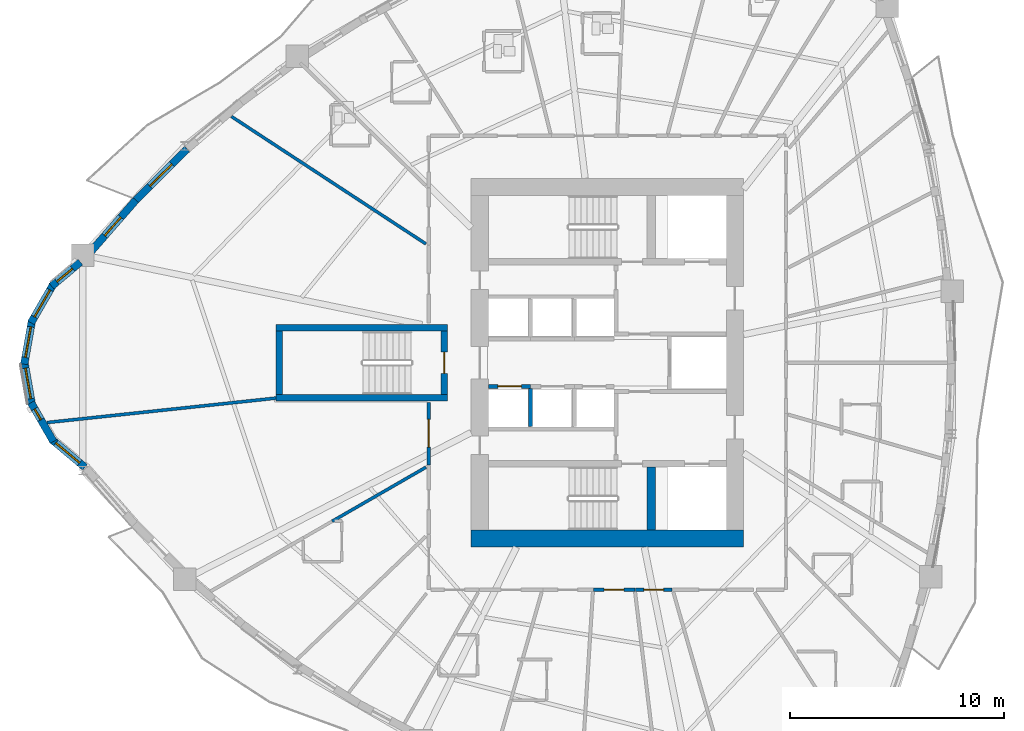
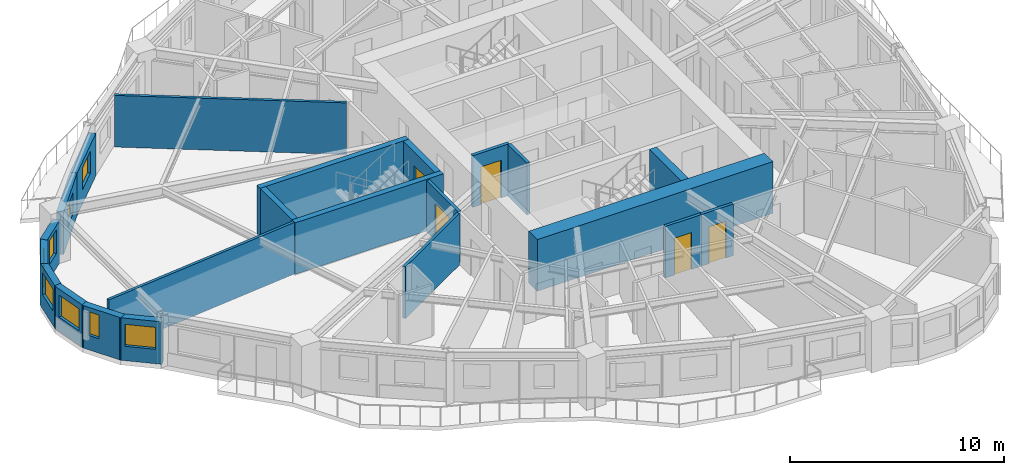
# One storey, part 4 of 14: 22 walls, 8 windows, 5 doors, 13 openings.
"""IFC4 building model written with IfcOpenShell, lengths in metres."""

from ifc_helpers import new_model, si_unit, direction, frame, frame_2d, origin, place, context, subcontext, project, spatial, rectangle, extrude, source, transform, mapped, material, layer, layer_set, type_object, element, fill, save


model = new_model("IFC4")

# Units and contexts
model_context = context("Model", 3, precision=1e-05, world=origin(), true_north=direction((0.0, 1.0)))
body_context = subcontext(model_context, "Body", "Model", "MODEL_VIEW")
ifc_project = project(units=[si_unit("LENGTHUNIT", "METRE"), si_unit("AREAUNIT", "SQUARE_METRE"), si_unit("VOLUMEUNIT", "CUBIC_METRE"), si_unit("PLANEANGLEUNIT", "RADIAN"), si_unit("MASSUNIT", "GRAM", prefix="KILO")], contexts=[model_context])

# Site, building, storey
site_placement = place(None, origin())
site = spatial("IfcSite", under=ifc_project, at=site_placement, CompositionType="ELEMENT")
building_placement = place(site_placement, origin())
building = spatial("IfcBuilding", under=site, at=building_placement, Name="Qafzar Sky-Pleat Residences", CompositionType="ELEMENT")
storey_placement = place(building_placement, frame((0.0, 0.0, 14.199951171875)))
storey = spatial("IfcBuildingStorey", under=building, at=storey_placement, Name="L03", CompositionType="ELEMENT", Elevation=14.199951171875)

# Wall, opening, door
ifc_material_1 = material(Name="Acoustic gypsum plasterboard partition", Category="gypsum")
ifc_layer_1 = layer(ifc_material_1, 0.159912109375)
ifc_layer_set_1 = layer_set([ifc_layer_1], Name="Acoustic gypsum plasterboard partition")
wall_type_1 = type_object("IfcWallType", Name="PART-COR-160", PredefinedType="PARTITIONING", material=ifc_layer_set_1)
wall_1_placement = place(storey_placement, frame((22.02001953125, 21.23291015625, 0.0), z_axis=(0.0, 0.0, 1.0), x_axis=(0.0, 1.0, 0.0)))
wall_1 = element("IfcWall", 1, at=wall_1_placement, inside=storey, type_object=wall_type_1, Name="L03 Partition Wall PART-L03-PW-008", PredefinedType="PARTITIONING", context=body_context, shape_type="SweptSolid", body=[
    extrude(rectangle(XDim=2.9169921875, YDim=0.159912109375, at=frame_2d((1.45849609375, 0.0))), origin(), (0.0, 0.0, 1.0), 2.93994140625),
])
opening_1_placement = place(wall_1_placement, frame((0.830078125, 0.0, 0.0)))
opening_1 = element("IfcOpeningElement", 2, at=opening_1_placement, cuts=wall_1, Name="Opening ID-05", PredefinedType="OPENING", context=body_context, shape_type="SweptSolid", body=[
    extrude(rectangle(XDim=1.300048828125, YDim=2.10009765625, at=frame_2d((0.64990234375, 1.050048828125))), frame((0.0, 0.08984375, 0.0), z_axis=(0.0, -1.0, 0.0), x_axis=(1.0, 0.0, 0.0)), (0.0, 0.0, 1.0), 0.179931640625),
])
ifc_material_2 = material(Name="Timber-faced fire door", Category="wood")
door_type_1 = type_object("IfcDoorType", Name="DR-LNG-1300", OperationType="DOUBLE_DOOR_SINGLE_SWING", PredefinedType="DOOR", material=ifc_material_2)
shared_shape_1 = source(origin(), body_context, "Body", "SweptSolid", [
    extrude(rectangle(XDim=1.300048828125, YDim=2.10009765625, at=frame_2d((0.64990234375, 1.050048828125))), frame((0.0, 0.02490234375, 0.0), z_axis=(0.0, -1.0, 0.0), x_axis=(1.0, 0.0, 0.0)), (0.0, 0.0, 1.0), 0.050048828125),
])
door_1_placement = place(opening_1_placement, origin())
door_1 = element("IfcDoor", 3, at=door_1_placement, inside=storey, type_object=door_type_1, Name="L03 Resident Atrium Foyer Door", OperationType="DOUBLE_DOOR_SINGLE_SWING", OverallHeight=2.10009765625, OverallWidth=1.300048828125, PredefinedType="DOOR", context=body_context, shape_type="MappedRepresentation", body=[
    mapped(shared_shape_1, transform((0.0, 0.0, 0.0), x_axis=(1.0, 0.0, 0.0), y_axis=(0.0, 1.0, 0.0), z_axis=(0.0, 0.0, 1.0), scale=1.0)),
])
fill(opening_1, door_1)

wall_2_placement = place(storey_placement, frame((31.64599609375, 15.419921875, 0.0), z_axis=(0.0, 0.0, 1.0), x_axis=(-1.0, 0.0, 0.0)))
wall_2 = element("IfcWall", 4, at=wall_2_placement, inside=storey, type_object=wall_type_1, Name="L03 Partition Wall PART-L03-PW-023", PredefinedType="PARTITIONING", context=body_context, shape_type="SweptSolid", body=[
    extrude(rectangle(XDim=1.931884765625, YDim=0.159912109375, at=frame_2d((0.9658203125, 0.0))), origin(), (0.0, 0.0, 1.0), 2.93994140625),
])
opening_2_placement = place(wall_2_placement, frame((0.528564453125, 0.0, 0.0)))
opening_2 = element("IfcOpeningElement", 5, at=opening_2_placement, cuts=wall_2, Name="Opening ID-04", PredefinedType="OPENING", context=body_context, shape_type="SweptSolid", body=[
    extrude(rectangle(XDim=0.919921875, YDim=2.10009765625, at=frame_2d((0.4599609375, 1.050048828125))), frame((0.0, 0.08984375, 0.0), z_axis=(0.0, -1.0, 0.0), x_axis=(1.0, 0.0, 0.0)), (0.0, 0.0, 1.0), 0.179931640625),
])
door_type_2 = type_object("IfcDoorType", Name="DR-BED-920", OperationType="NOTDEFINED", PredefinedType="DOOR", material=ifc_material_2)
shared_shape_2 = source(origin(), body_context, "Body", "SweptSolid", [
    extrude(rectangle(XDim=0.919921875, YDim=2.10009765625, at=frame_2d((0.4599609375, 1.050048828125))), frame((0.0, 0.02490234375, 0.0), z_axis=(0.0, -1.0, 0.0), x_axis=(1.0, 0.0, 0.0)), (0.0, 0.0, 1.0), 0.050048828125),
])
door_2_placement = place(opening_2_placement, origin())
door_2 = element("IfcDoor", 6, at=door_2_placement, inside=storey, type_object=door_type_2, Name="L03 Co-Living Bedroom 15 Door", OperationType="SINGLE_SWING_LEFT", OverallHeight=2.10009765625, OverallWidth=0.919921875, PredefinedType="DOOR", context=body_context, shape_type="MappedRepresentation", body=[
    mapped(shared_shape_2, transform((0.0, 0.0, 0.0), x_axis=(1.0, 0.0, 0.0), y_axis=(0.0, 1.0, 0.0), z_axis=(0.0, 0.0, 1.0), scale=1.0)),
])
fill(opening_2, door_2)

wall_3_placement = place(storey_placement, frame((33.364990234375, 15.419921875, 0.0), z_axis=(0.0, 0.0, 1.0), x_axis=(-1.0, 0.0, 0.0)))
wall_3 = element("IfcWall", 7, at=wall_3_placement, inside=storey, type_object=wall_type_1, Name="L03 Partition Wall PART-L03-PW-037", PredefinedType="PARTITIONING", context=body_context, shape_type="SweptSolid", body=[
    extrude(rectangle(XDim=1.7041015625, YDim=0.159912109375, at=frame_2d((0.85205078125, 0.0))), origin(), (0.0, 0.0, 1.0), 2.93994140625),
])
opening_3_placement = place(wall_3_placement, frame((0.39208984375, 0.0, 0.0)))
opening_3 = element("IfcOpeningElement", 8, at=opening_3_placement, cuts=wall_3, Name="Opening ID-04", PredefinedType="OPENING", context=body_context, shape_type="SweptSolid", body=[
    extrude(rectangle(XDim=0.919921875, YDim=2.10009765625, at=frame_2d((0.4599609375, 1.050048828125))), frame((0.0, 0.08984375, 0.0), z_axis=(0.0, -1.0, 0.0), x_axis=(1.0, 0.0, 0.0)), (0.0, 0.0, 1.0), 0.179931640625),
])
door_3_placement = place(opening_3_placement, origin())
door_3 = element("IfcDoor", 9, at=door_3_placement, inside=storey, type_object=door_type_2, Name="L03 Co-Living Bedroom 16 Door", OperationType="SINGLE_SWING_LEFT", OverallHeight=2.10009765625, OverallWidth=0.919921875, PredefinedType="DOOR", context=body_context, shape_type="MappedRepresentation", body=[
    mapped(shared_shape_2, transform((0.0, 0.0, 0.0), x_axis=(1.0, 0.0, 0.0), y_axis=(0.0, 1.0, 0.0), z_axis=(0.0, 0.0, 1.0), scale=1.0)),
])
fill(opening_3, door_3)

ifc_material_3 = material(Name="Concrete blockwork partition", Category="masonry")
ifc_layer_2 = layer(ifc_material_3, 0.179931640625)
ifc_layer_set_2 = layer_set([ifc_layer_2], Name="Concrete blockwork partition")
wall_type_2 = type_object("IfcWallType", Name="PART-SHAFT-180", PredefinedType="PARTITIONING", material=ifc_layer_set_2)
wall_4_placement = place(storey_placement, frame((24.81005859375, 24.89990234375, 0.0), z_axis=(0.0, 0.0, 1.0), x_axis=(1.0, 0.0, 0.0)))
wall_4 = element("IfcWall", 10, at=wall_4_placement, inside=storey, type_object=wall_type_2, Name="L03 Partition Wall PART-L03-P1-N", PredefinedType="PARTITIONING", context=body_context, shape_type="SweptSolid", body=[
    extrude(rectangle(XDim=1.96484375, YDim=0.179931640625, at=frame_2d((0.982421875, 0.0))), origin(), (0.0, 0.0, 1.0), 2.93994140625),
])
opening_4_placement = place(wall_4_placement, frame((0.4326171875, 0.0, 0.0)))
opening_4 = element("IfcOpeningElement", 11, at=opening_4_placement, cuts=wall_4, Name="Opening LD-01", PredefinedType="OPENING", context=body_context, shape_type="SweptSolid", body=[
    extrude(rectangle(XDim=1.10009765625, YDim=2.14990234375, at=frame_2d((0.550048828125, 1.074951171875))), frame((0.0, 0.10009765625, 0.0), z_axis=(0.0, -1.0, 0.0), x_axis=(1.0, 0.0, 0.0)), (0.0, 0.0, 1.0), 0.199951171875),
])
ifc_material_4 = material(Name="Stainless steel sliding landing door", Category="steel")
door_type_3 = type_object("IfcDoorType", Name="DR-LIFT-P", OperationType="DOUBLE_DOOR_SLIDING", PredefinedType="DOOR", material=ifc_material_4)
shared_shape_3 = source(origin(), body_context, "Body", "SweptSolid", [
    extrude(rectangle(XDim=1.10009765625, YDim=2.14990234375, at=frame_2d((0.550048828125, 1.074951171875))), frame((0.0, 0.02490234375, 0.0), z_axis=(0.0, -1.0, 0.0), x_axis=(1.0, 0.0, 0.0)), (0.0, 0.0, 1.0), 0.050048828125),
])
door_4_placement = place(opening_4_placement, origin())
door_4 = element("IfcDoor", 12, at=door_4_placement, inside=storey, type_object=door_type_3, Name="L03 Passenger Lift P1 Landing Door", OperationType="DOUBLE_DOOR_SLIDING", OverallHeight=2.14990234375, OverallWidth=1.10009765625, PredefinedType="DOOR", context=body_context, shape_type="MappedRepresentation", body=[
    mapped(shared_shape_3, transform((0.0, 0.0, 0.0), x_axis=(1.0, 0.0, 0.0), y_axis=(0.0, 1.0, 0.0), z_axis=(0.0, 0.0, 1.0), scale=1.0)),
])
fill(opening_4, door_4)

# Walls
wall_5_placement = place(storey_placement, frame((26.77490234375, 23.02001953125, 0.0), z_axis=(0.0, 0.0, 1.0), x_axis=(0.0, 1.0, 0.0)))
element("IfcWall", 13, at=wall_5_placement, inside=storey, type_object=wall_type_2, Name="L03 Partition Wall PART-L03-P13-DIV-1", PredefinedType="PARTITIONING", context=body_context, shape_type="SweptSolid", body=[
    extrude(rectangle(XDim=1.780029296875, YDim=0.179931640625, at=frame_2d((0.89013671875, 0.0))), origin(), (0.0, 0.0, 1.0), 2.93994140625),
])
ifc_layer_3 = layer(ifc_material_1, 0.14501953125)
ifc_layer_set_3 = layer_set([ifc_layer_3], Name="Acoustic gypsum plasterboard partition")
wall_type_3 = type_object("IfcWallType", Name="PART-UNIT-145", PredefinedType="PARTITIONING", material=ifc_layer_set_3)
wall_6_placement = place(storey_placement, frame((12.82861328125, 37.4794921875, 0.0), z_axis=(0.0, 0.0, 1.0), x_axis=(0.836435846472, -0.548064845376, 0.0)))
element("IfcWall", 14, at=wall_6_placement, inside=storey, type_object=wall_type_3, Name="L03 Partition Wall PART-L03-PW-041", PredefinedType="PARTITIONING", context=body_context, shape_type="SweptSolid", body=[
    extrude(rectangle(XDim=10.837646484375, YDim=0.14501953125, at=frame_2d((5.4189453125, 0.0))), origin(), (0.0, 0.0, 1.0), 2.93994140625),
])
wall_7_placement = place(storey_placement, frame((4.230712890625, 23.21240234375, 0.0), z_axis=(0.0, 0.0, 1.0), x_axis=(0.994353055544, 0.106122575023, 0.0)))
element("IfcWall", 15, at=wall_7_placement, inside=storey, type_object=wall_type_3, Name="L03 Partition Wall PART-L03-PW-042", PredefinedType="PARTITIONING", context=body_context, shape_type="SweptSolid", body=[
    extrude(rectangle(XDim=10.729736328125, YDim=0.14501953125, at=frame_2d((5.36474609375, 0.0))), origin(), (0.0, 0.0, 1.0), 2.93994140625),
])
wall_8_placement = place(storey_placement, frame((17.52392578125, 18.610107421875, 0.0), z_axis=(0.0, 0.0, 1.0), x_axis=(0.866454437228, 0.499256154903, 0.0)))
element("IfcWall", 16, at=wall_8_placement, inside=storey, type_object=wall_type_3, Name="L03 Partition Wall PART-L03-PW-056", PredefinedType="PARTITIONING", context=body_context, shape_type="SweptSolid", body=[
    extrude(rectangle(XDim=5.047119140625, YDim=0.14501953125, at=frame_2d((2.5234375, 0.0))), origin(), (0.0, 0.0, 1.0), 2.93994140625),
])

# Wall, opening, window
ifc_material_5 = material(Name="Precast concrete C40/50 with honed Riyadh limestone", Category="concrete")
ifc_layer_4 = layer(ifc_material_5, 0.35009765625)
ifc_layer_set_4 = layer_set([ifc_layer_4], Name="Precast concrete C40/50 with honed Riyadh limestone")
wall_type_4 = type_object("IfcWallType", Name="WALL-EXT-350", PredefinedType="SOLIDWALL", material=ifc_layer_set_4)
wall_9_placement = place(storey_placement, frame((5.78271484375, 30.696044921875, 0.0), z_axis=(0.0, 0.0, 1.0), x_axis=(-0.766058770736, -0.642770534311, 0.0)))
wall_9 = element("IfcWall", 17, at=wall_9_placement, inside=storey, type_object=wall_type_4, Name="L03 Limestone Facade Wall 1", PredefinedType="SOLIDWALL", context=body_context, shape_type="SweptSolid", body=[
    extrude(rectangle(XDim=1.75244140625, YDim=0.35009765625, at=frame_2d((0.876220703125, 0.0))), origin(), (0.0, 0.0, 1.0), 2.420166015625),
])
opening_5_placement = place(wall_9_placement, frame((0.476318359375, 0.0, 0.820068359375)))
opening_5 = element("IfcOpeningElement", 18, at=opening_5_placement, cuts=wall_9, Name="Opening WN-12", PredefinedType="OPENING", context=body_context, shape_type="SweptSolid", body=[
    extrude(rectangle(XDim=0.949951171875, YDim=1.35009765625, at=frame_2d((0.47509765625, 0.675048828125))), frame((0.0, 0.18505859375, 0.0), z_axis=(0.0, -1.0, 0.0), x_axis=(1.0, 0.0, 0.0)), (0.0, 0.0, 1.0), 0.3701171875),
])
ifc_material_6 = material(Name="Solar-control low-E glass in bronze aluminium frame", Category="glass")
window_type_1 = type_object("IfcWindowType", Name="WIN-12", PartitioningType="SINGLE_PANEL", PredefinedType="WINDOW", material=ifc_material_6)
shared_shape_4 = source(origin(), body_context, "Body", "SweptSolid", [
    extrude(rectangle(XDim=0.949951171875, YDim=1.35009765625, at=frame_2d((0.47509765625, 0.675048828125))), frame((0.0, 0.030029296875, 0.0), z_axis=(0.0, -1.0, 0.0), x_axis=(1.0, 0.0, 0.0)), (0.0, 0.0, 1.0), 0.06005859375),
])
window_1_placement = place(opening_5_placement, origin())
window_1 = element("IfcWindow", 19, at=window_1_placement, inside=storey, type_object=window_type_1, Name="L03 Punched Facade Window 01", OverallHeight=1.35009765625, OverallWidth=0.949951171875, PartitioningType="SINGLE_PANEL", PredefinedType="WINDOW", context=body_context, shape_type="MappedRepresentation", body=[
    mapped(shared_shape_4, transform((0.0, 0.0, 0.0), x_axis=(1.0, 0.0, 0.0), y_axis=(0.0, 1.0, 0.0), z_axis=(0.0, 0.0, 1.0), scale=1.0)),
])
fill(opening_5, window_1)

wall_10_placement = place(storey_placement, frame((4.527587890625, 29.673583984375, 0.0), z_axis=(0.0, 0.0, 1.0), x_axis=(-0.499995423472, -0.866028046028, 0.0)))
wall_10 = element("IfcWall", 20, at=wall_10_placement, inside=storey, type_object=wall_type_4, Name="L03 Limestone Facade Wall 2", PredefinedType="SOLIDWALL", context=body_context, shape_type="SweptSolid", body=[
    extrude(rectangle(XDim=2.09033203125, YDim=0.35009765625, at=frame_2d((1.045166015625, 0.0))), origin(), (0.0, 0.0, 1.0), 2.420166015625),
])
opening_6_placement = place(wall_10_placement, frame((0.3203125, 0.0, 0.820068359375)))
opening_6 = element("IfcOpeningElement", 21, at=opening_6_placement, cuts=wall_10, Name="Opening WN-15", PredefinedType="OPENING", context=body_context, shape_type="SweptSolid", body=[
    extrude(rectangle(XDim=1.449951171875, YDim=1.25, at=frame_2d((0.72509765625, 0.625))), frame((0.0, 0.18505859375, 0.0), z_axis=(0.0, -1.0, 0.0), x_axis=(1.0, 0.0, 0.0)), (0.0, 0.0, 1.0), 0.3701171875),
])
window_type_2 = type_object("IfcWindowType", Name="WIN-15", PartitioningType="SINGLE_PANEL", PredefinedType="WINDOW", material=ifc_material_6)
shared_shape_5 = source(origin(), body_context, "Body", "SweptSolid", [
    extrude(rectangle(XDim=1.449951171875, YDim=1.25, at=frame_2d((0.72509765625, 0.625))), frame((0.0, 0.030029296875, 0.0), z_axis=(0.0, -1.0, 0.0), x_axis=(1.0, 0.0, 0.0)), (0.0, 0.0, 1.0), 0.06005859375),
])
window_2_placement = place(opening_6_placement, origin())
window_2 = element("IfcWindow", 22, at=window_2_placement, inside=storey, type_object=window_type_2, Name="L03 Punched Facade Window 02", OverallHeight=1.25, OverallWidth=1.449951171875, PartitioningType="SINGLE_PANEL", PredefinedType="WINDOW", context=body_context, shape_type="MappedRepresentation", body=[
    mapped(shared_shape_5, transform((0.0, 0.0, 0.0), x_axis=(1.0, 0.0, 0.0), y_axis=(0.0, 1.0, 0.0), z_axis=(0.0, 0.0, 1.0), scale=1.0)),
])
fill(opening_6, window_2)

wall_11_placement = place(storey_placement, frame((3.52880859375, 27.99072265625, 0.0), z_axis=(0.0, 0.0, 1.0), x_axis=(-0.173672066494, -0.984803540469, 0.0)))
wall_11 = element("IfcWall", 23, at=wall_11_placement, inside=storey, type_object=wall_type_4, Name="L03 Limestone Facade Wall 3", PredefinedType="SOLIDWALL", context=body_context, shape_type="SweptSolid", body=[
    extrude(rectangle(XDim=2.09033203125, YDim=0.35009765625, at=frame_2d((1.045166015625, 0.0))), origin(), (0.0, 0.0, 1.0), 2.420166015625),
])
opening_7_placement = place(wall_11_placement, frame((0.3203125, 0.0, 0.820068359375)))
opening_7 = element("IfcOpeningElement", 24, at=opening_7_placement, cuts=wall_11, Name="Opening WN-15", PredefinedType="OPENING", context=body_context, shape_type="SweptSolid", body=[
    extrude(rectangle(XDim=1.449951171875, YDim=1.25, at=frame_2d((0.72509765625, 0.625))), frame((0.0, 0.18505859375, 0.0), z_axis=(0.0, -1.0, 0.0), x_axis=(1.0, 0.0, 0.0)), (0.0, 0.0, 1.0), 0.3701171875),
])
window_3_placement = place(opening_7_placement, origin())
window_3 = element("IfcWindow", 25, at=window_3_placement, inside=storey, type_object=window_type_2, Name="L03 Punched Facade Window 03", OverallHeight=1.25, OverallWidth=1.449951171875, PartitioningType="SINGLE_PANEL", PredefinedType="WINDOW", context=body_context, shape_type="MappedRepresentation", body=[
    mapped(shared_shape_5, transform((0.0, 0.0, 0.0), x_axis=(1.0, 0.0, 0.0), y_axis=(0.0, 1.0, 0.0), z_axis=(0.0, 0.0, 1.0), scale=1.0)),
])
fill(opening_7, window_3)

wall_12_placement = place(storey_placement, frame((3.165771484375, 26.06787109375, 0.0), z_axis=(0.0, 0.0, 1.0), x_axis=(0.173672066494, -0.984803540469, 0.0)))
wall_12 = element("IfcWall", 26, at=wall_12_placement, inside=storey, type_object=wall_type_4, Name="L03 Limestone Facade Wall 4", PredefinedType="SOLIDWALL", context=body_context, shape_type="SweptSolid", body=[
    extrude(rectangle(XDim=2.09033203125, YDim=0.35009765625, at=frame_2d((1.045166015625, 0.0))), origin(), (0.0, 0.0, 1.0), 2.420166015625),
])
opening_8_placement = place(wall_12_placement, frame((0.3203125, 0.0, 0.820068359375)))
opening_8 = element("IfcOpeningElement", 27, at=opening_8_placement, cuts=wall_12, Name="Opening WN-15", PredefinedType="OPENING", context=body_context, shape_type="SweptSolid", body=[
    extrude(rectangle(XDim=1.449951171875, YDim=1.25, at=frame_2d((0.72509765625, 0.625))), frame((0.0, 0.18505859375, 0.0), z_axis=(0.0, -1.0, 0.0), x_axis=(1.0, 0.0, 0.0)), (0.0, 0.0, 1.0), 0.3701171875),
])
window_4_placement = place(opening_8_placement, origin())
window_4 = element("IfcWindow", 28, at=window_4_placement, inside=storey, type_object=window_type_2, Name="L03 Punched Facade Window 04", OverallHeight=1.25, OverallWidth=1.449951171875, PartitioningType="SINGLE_PANEL", PredefinedType="WINDOW", context=body_context, shape_type="MappedRepresentation", body=[
    mapped(shared_shape_5, transform((0.0, 0.0, 0.0), x_axis=(1.0, 0.0, 0.0), y_axis=(0.0, 1.0, 0.0), z_axis=(0.0, 0.0, 1.0), scale=1.0)),
])
fill(opening_8, window_4)

wall_13_placement = place(storey_placement, frame((3.482421875, 24.13671875, 0.0), z_axis=(0.0, 0.0, 1.0), x_axis=(0.499995423472, -0.866028046028, 0.0)))
wall_13 = element("IfcWall", 29, at=wall_13_placement, inside=storey, type_object=wall_type_4, Name="L03 Limestone Facade Wall 5", PredefinedType="SOLIDWALL", context=body_context, shape_type="SweptSolid", body=[
    extrude(rectangle(XDim=2.09033203125, YDim=0.35009765625, at=frame_2d((1.045166015625, 0.0))), origin(), (0.0, 0.0, 1.0), 2.420166015625),
])
opening_9_placement = place(wall_13_placement, frame((0.332763671875, 0.0, 0.820068359375)))
opening_9 = element("IfcOpeningElement", 30, at=opening_9_placement, cuts=wall_13, Name="Opening WN-17", PredefinedType="OPENING", context=body_context, shape_type="SweptSolid", body=[
    extrude(rectangle(XDim=0.580078125, YDim=1.35009765625, at=frame_2d((0.2900390625, 0.675048828125))), frame((0.0, 0.18505859375, 0.0), z_axis=(0.0, -1.0, 0.0), x_axis=(1.0, 0.0, 0.0)), (0.0, 0.0, 1.0), 0.3701171875),
])
window_type_3 = type_object("IfcWindowType", Name="WIN-17", PartitioningType="SINGLE_PANEL", PredefinedType="WINDOW", material=ifc_material_6)
shared_shape_6 = source(origin(), body_context, "Body", "SweptSolid", [
    extrude(rectangle(XDim=0.580078125, YDim=1.35009765625, at=frame_2d((0.2900390625, 0.675048828125))), frame((0.0, 0.030029296875, 0.0), z_axis=(0.0, -1.0, 0.0), x_axis=(1.0, 0.0, 0.0)), (0.0, 0.0, 1.0), 0.06005859375),
])
window_5_placement = place(opening_9_placement, origin())
window_5 = element("IfcWindow", 31, at=window_5_placement, inside=storey, type_object=window_type_3, Name="L03 Punched Facade Window 05", OverallHeight=1.35009765625, OverallWidth=0.580078125, PartitioningType="SINGLE_PANEL", PredefinedType="WINDOW", context=body_context, shape_type="MappedRepresentation", body=[
    mapped(shared_shape_6, transform((0.0, 0.0, 0.0), x_axis=(1.0, 0.0, 0.0), y_axis=(0.0, 1.0, 0.0), z_axis=(0.0, 0.0, 1.0), scale=1.0)),
])
fill(opening_9, window_5)

wall_14_placement = place(storey_placement, frame((4.440185546875, 22.430419921875, 0.0), z_axis=(0.0, 0.0, 1.0), x_axis=(0.766090423188, -0.642732808793, 0.0)))
wall_14 = element("IfcWall", 32, at=wall_14_placement, inside=storey, type_object=wall_type_4, Name="L03 Limestone Facade Wall 6", PredefinedType="SOLIDWALL", context=body_context, shape_type="SweptSolid", body=[
    extrude(rectangle(XDim=2.032470703125, YDim=0.35009765625, at=frame_2d((1.01611328125, 0.0))), origin(), (0.0, 0.0, 1.0), 2.420166015625),
])
opening_10_placement = place(wall_14_placement, frame((0.26123046875, 0.0, 0.820068359375)))
opening_10 = element("IfcOpeningElement", 33, at=opening_10_placement, cuts=wall_14, Name="Opening WN-15", PredefinedType="OPENING", context=body_context, shape_type="SweptSolid", body=[
    extrude(rectangle(XDim=1.449951171875, YDim=1.25, at=frame_2d((0.72509765625, 0.625))), frame((0.0, 0.18505859375, 0.0), z_axis=(0.0, -1.0, 0.0), x_axis=(1.0, 0.0, 0.0)), (0.0, 0.0, 1.0), 0.3701171875),
])
window_6_placement = place(opening_10_placement, origin())
window_6 = element("IfcWindow", 34, at=window_6_placement, inside=storey, type_object=window_type_2, Name="L03 Punched Facade Window 06", OverallHeight=1.25, OverallWidth=1.449951171875, PartitioningType="SINGLE_PANEL", PredefinedType="WINDOW", context=body_context, shape_type="MappedRepresentation", body=[
    mapped(shared_shape_5, transform((0.0, 0.0, 0.0), x_axis=(1.0, 0.0, 0.0), y_axis=(0.0, 1.0, 0.0), z_axis=(0.0, 0.0, 1.0), scale=1.0)),
])
fill(opening_10, window_6)

wall_15_placement = place(storey_placement, frame((10.75830078125, 35.96142578125, 0.0), z_axis=(0.0, 0.0, 1.0), x_axis=(-0.708411305333, -0.705799845903, 0.0)))
wall_15 = element("IfcWall", 35, at=wall_15_placement, inside=storey, type_object=wall_type_4, Name="L03 Limestone Facade Wall 47", PredefinedType="SOLIDWALL", context=body_context, shape_type="SweptSolid", body=[
    extrude(rectangle(XDim=3.458984375, YDim=0.35009765625, at=frame_2d((1.7294921875, 0.0))), origin(), (0.0, 0.0, 1.0), 2.420166015625),
])
opening_11_placement = place(wall_15_placement, frame((0.99462890625, 0.0, 0.820068359375)))
opening_11 = element("IfcOpeningElement", 36, at=opening_11_placement, cuts=wall_15, Name="Opening WN-15", PredefinedType="OPENING", context=body_context, shape_type="SweptSolid", body=[
    extrude(rectangle(XDim=1.449951171875, YDim=1.25, at=frame_2d((0.72509765625, 0.625))), frame((0.0, 0.18505859375, 0.0), z_axis=(0.0, -1.0, 0.0), x_axis=(1.0, 0.0, 0.0)), (0.0, 0.0, 1.0), 0.3701171875),
])
window_7_placement = place(opening_11_placement, origin())
window_7 = element("IfcWindow", 37, at=window_7_placement, inside=storey, type_object=window_type_2, Name="L03 Punched Facade Window 47", OverallHeight=1.25, OverallWidth=1.449951171875, PartitioningType="SINGLE_PANEL", PredefinedType="WINDOW", context=body_context, shape_type="MappedRepresentation", body=[
    mapped(shared_shape_5, transform((0.0, 0.0, 0.0), x_axis=(1.0, 0.0, 0.0), y_axis=(0.0, 1.0, 0.0), z_axis=(0.0, 0.0, 1.0), scale=1.0)),
])
fill(opening_11, window_7)

wall_16_placement = place(storey_placement, frame((8.3681640625, 33.584228515625, 0.0), z_axis=(0.0, 0.0, 1.0), x_axis=(-0.657638042269, -0.753334059605, 0.0)))
wall_16 = element("IfcWall", 38, at=wall_16_placement, inside=storey, type_object=wall_type_4, Name="L03 Limestone Facade Wall 48", PredefinedType="SOLIDWALL", context=body_context, shape_type="SweptSolid", body=[
    extrude(rectangle(XDim=3.252685546875, YDim=0.35009765625, at=frame_2d((1.62646484375, 0.0))), origin(), (0.0, 0.0, 1.0), 2.420166015625),
])
opening_12_placement = place(wall_16_placement, frame((1.056396484375, 0.0, 0.820068359375)))
opening_12 = element("IfcOpeningElement", 39, at=opening_12_placement, cuts=wall_16, Name="Opening WN-16", PredefinedType="OPENING", context=body_context, shape_type="SweptSolid", body=[
    extrude(rectangle(XDim=1.14990234375, YDim=1.199951171875, at=frame_2d((0.574951171875, 0.60009765625))), frame((0.0, 0.18505859375, 0.0), z_axis=(0.0, -1.0, 0.0), x_axis=(1.0, 0.0, 0.0)), (0.0, 0.0, 1.0), 0.3701171875),
])
window_type_4 = type_object("IfcWindowType", Name="WIN-16", PartitioningType="SINGLE_PANEL", PredefinedType="WINDOW", material=ifc_material_6)
shared_shape_7 = source(origin(), body_context, "Body", "SweptSolid", [
    extrude(rectangle(XDim=1.14990234375, YDim=1.199951171875, at=frame_2d((0.574951171875, 0.60009765625))), frame((0.0, 0.030029296875, 0.0), z_axis=(0.0, -1.0, 0.0), x_axis=(1.0, 0.0, 0.0)), (0.0, 0.0, 1.0), 0.06005859375),
])
window_8_placement = place(opening_12_placement, origin())
window_8 = element("IfcWindow", 40, at=window_8_placement, inside=storey, type_object=window_type_4, Name="L03 Punched Facade Window 48", OverallHeight=1.199951171875, OverallWidth=1.14990234375, PartitioningType="SINGLE_PANEL", PredefinedType="WINDOW", context=body_context, shape_type="MappedRepresentation", body=[
    mapped(shared_shape_7, transform((0.0, 0.0, 0.0), x_axis=(1.0, 0.0, 0.0), y_axis=(0.0, 1.0, 0.0), z_axis=(0.0, 0.0, 1.0), scale=1.0)),
])
fill(opening_12, window_8)

# Walls
ifc_material_7 = material(Name="Concrete C60/75", Category="concrete")
ifc_layer_5 = layer(ifc_material_7, 0.300048828125)
ifc_layer_set_5 = layer_set([ifc_layer_5], Name="Concrete C60/75")
wall_type_5 = type_object("IfcWallType", Name="WALL-SHEAR-300", PredefinedType="SHEAR", material=ifc_layer_set_5)
for number, where, z_axis, x_axis, name in (
    (41, (14.89990234375, 24.375, 0.0), (0.0, 0.0, 1.0), (1.0, 0.0, 0.0), "L03 ST3 wall S"),
    (42, (22.89990234375, 27.625, 0.0), (0.0, 0.0, 1.0), (-1.0, 0.0, 0.0), "L03 ST3 wall N"),
):
    element("IfcWall", number, at=place(storey_placement, frame(where, z_axis=z_axis, x_axis=x_axis)), inside=storey, type_object=wall_type_5, Name=name, PredefinedType="SHEAR", context=body_context, shape_type="SweptSolid", body=[
        extrude(rectangle(XDim=8.0, YDim=0.300048828125, at=frame_2d((4.0, 0.0))), origin(), (0.0, 0.0, 1.0), 2.93994140625),
    ])
wall_17_placement = place(storey_placement, frame((15.050048828125, 27.47509765625, 0.0), z_axis=(0.0, 0.0, 1.0), x_axis=(0.0, -1.0, 0.0)))
element("IfcWall", 43, at=wall_17_placement, inside=storey, type_object=wall_type_5, Name="L03 ST3 wall W", PredefinedType="SHEAR", context=body_context, shape_type="SweptSolid", body=[
    extrude(rectangle(XDim=2.9501953125, YDim=0.300048828125, at=frame_2d((1.47509765625, 0.0))), origin(), (0.0, 0.0, 1.0), 2.93994140625),
])

# Wall, opening, door
wall_18_placement = place(storey_placement, frame((22.75, 24.52490234375, 0.0), z_axis=(0.0, 0.0, 1.0), x_axis=(0.0, 1.0, 0.0)))
wall_18 = element("IfcWall", 44, at=wall_18_placement, inside=storey, type_object=wall_type_5, Name="L03 ST3 wall E", PredefinedType="SHEAR", context=body_context, shape_type="SweptSolid", body=[
    extrude(rectangle(XDim=2.9501953125, YDim=0.300048828125, at=frame_2d((1.47509765625, 0.0))), origin(), (0.0, 0.0, 1.0), 2.93994140625),
])
opening_13_placement = place(wall_18_placement, frame((0.985107421875, 0.0, 0.0)))
opening_13 = element("IfcOpeningElement", 45, at=opening_13_placement, cuts=wall_18, Name="Opening ID-01", PredefinedType="OPENING", context=body_context, shape_type="SweptSolid", body=[
    extrude(rectangle(XDim=0.97998046875, YDim=2.14990234375, at=frame_2d((0.489990234375, 1.074951171875))), frame((0.0, 0.16015625, 0.0), z_axis=(0.0, -1.0, 0.0), x_axis=(1.0, 0.0, 0.0)), (0.0, 0.0, 1.0), 0.320068359375),
])
door_type_4 = type_object("IfcDoorType", Name="DR-STAIR-980", OperationType="NOTDEFINED", PredefinedType="DOOR", material=ifc_material_2)
shared_shape_8 = source(origin(), body_context, "Body", "SweptSolid", [
    extrude(rectangle(XDim=0.97998046875, YDim=2.14990234375, at=frame_2d((0.489990234375, 1.074951171875))), frame((0.0, 0.02490234375, 0.0), z_axis=(0.0, -1.0, 0.0), x_axis=(1.0, 0.0, 0.0)), (0.0, 0.0, 1.0), 0.050048828125),
])
door_5_placement = place(opening_13_placement, origin())
door_5 = element("IfcDoor", 46, at=door_5_placement, inside=storey, type_object=door_type_4, Name="L03 Stair ST3 Fire Door", OperationType="SINGLE_SWING_RIGHT", OverallHeight=2.14990234375, OverallWidth=0.97998046875, PredefinedType="DOOR", context=body_context, shape_type="MappedRepresentation", body=[
    mapped(shared_shape_8, transform((0.0, 0.0, 0.0), x_axis=(1.0, 0.0, 0.0), y_axis=(0.0, 1.0, 0.0), z_axis=(0.0, 0.0, 1.0), scale=1.0)),
])
fill(opening_13, door_5)

# Walls
ifc_layer_6 = layer(ifc_material_7, 0.39990234375)
ifc_layer_set_6 = layer_set([ifc_layer_6], Name="Concrete C60/75")
wall_type_6 = type_object("IfcWallType", Name="WALL-SHEAR-400", PredefinedType="SHEAR", material=ifc_layer_set_6)
wall_19_placement = place(storey_placement, frame((32.39990234375, 18.199951171875, 0.0), z_axis=(0.0, 0.0, 1.0), x_axis=(0.0, 1.0, 0.0)))
element("IfcWall", 47, at=wall_19_placement, inside=storey, type_object=wall_type_6, Name="L03 Stair ST1 East Dividing Wall", PredefinedType="SHEAR", context=body_context, shape_type="SweptSolid", body=[
    extrude(rectangle(XDim=2.949951171875, YDim=0.39990234375, at=frame_2d((1.47509765625, 0.0))), origin(), (0.0, 0.0, 1.0), 2.93994140625),
])
ifc_layer_7 = layer(ifc_material_7, 0.800048828125)
ifc_layer_set_7 = layer_set([ifc_layer_7], Name="Concrete C60/75")
wall_type_7 = type_object("IfcWallType", Name="WALL-SHEAR-800", PredefinedType="SHEAR", material=ifc_layer_set_7)
wall_20_placement = place(storey_placement, frame((24.0, 17.800048828125, 0.0), z_axis=(0.0, 0.0, 1.0), x_axis=(1.0, 0.0, 0.0)))
element("IfcWall", 48, at=wall_20_placement, inside=storey, type_object=wall_type_7, Name="L03 CORE wall S", PredefinedType="SHEAR", context=body_context, shape_type="SweptSolid", body=[
    extrude(rectangle(XDim=12.699951171875, YDim=0.800048828125, at=frame_2d((6.35009765625, 0.0))), origin(), (0.0, 0.0, 1.0), 2.93994140625),
])

save(model, "model.ifc")
